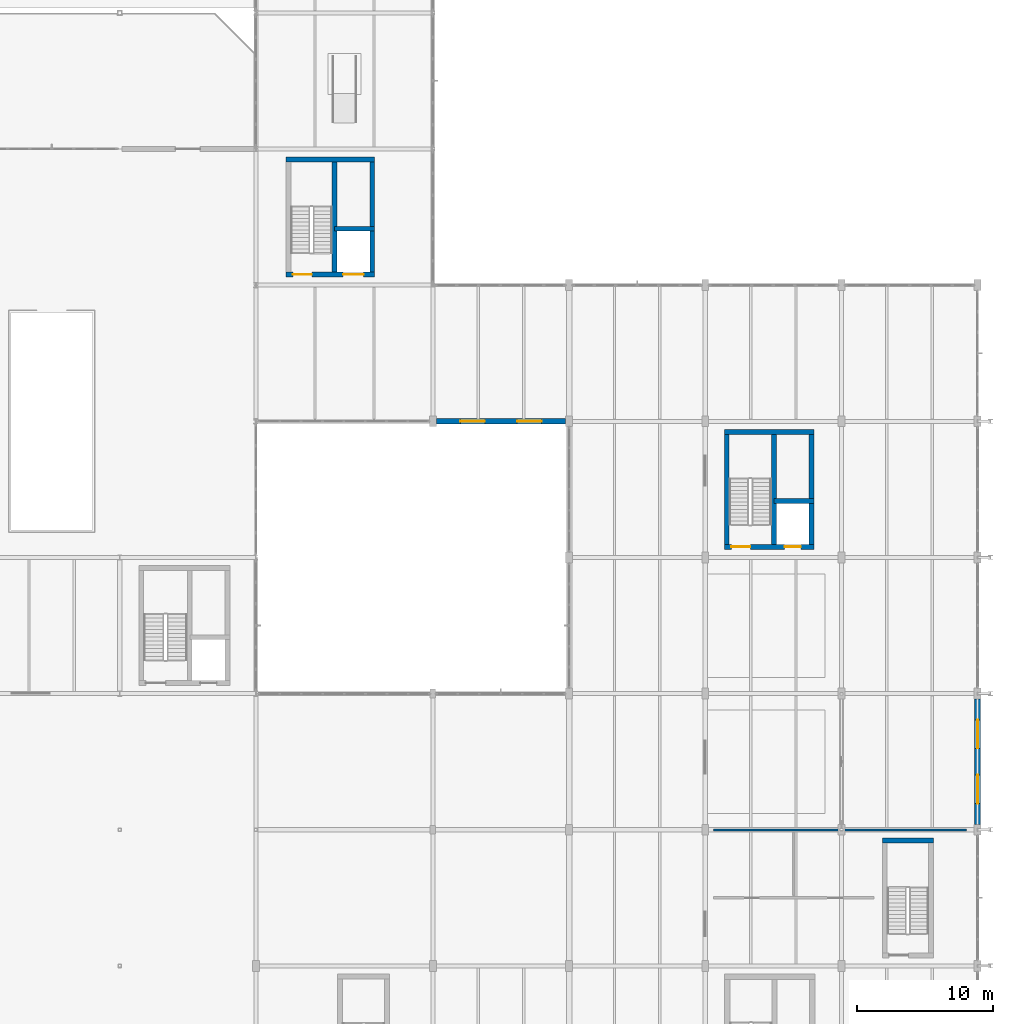
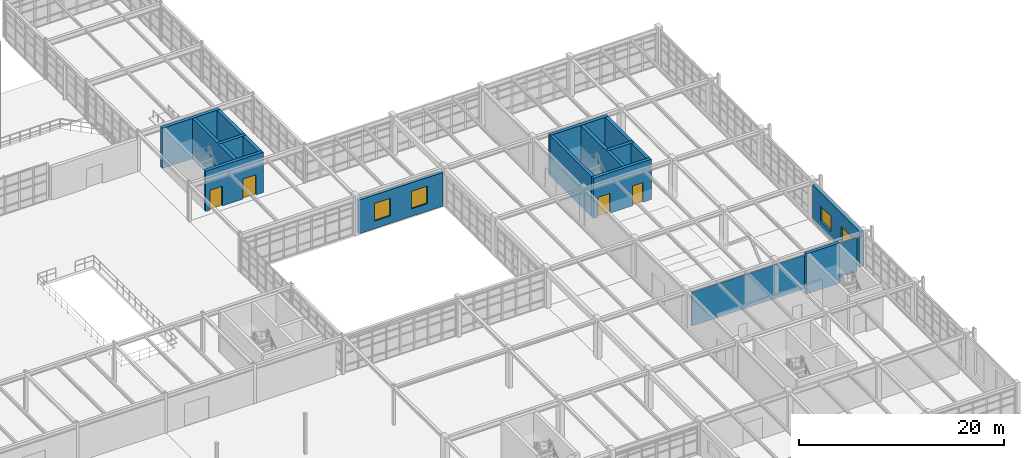
# One storey, part 122 of 139: 15 walls, 4 doors, 4 windows, 8 openings.
"""IFC4 building model written with IfcOpenShell, lengths in metres."""

from ifc_helpers import new_model, si_unit, direction, frame, frame_2d, origin, place, context, subcontext, project, spatial, rectangle, extrude, material, layer, layer_set, type_object, element, fill, save


model = new_model("IFC4")

# Units and contexts
model_context = context("Model", 3, precision=1e-05, world=origin(), true_north=direction((0.0, 1.0)))
body_context = subcontext(model_context, "Body", "Model", "MODEL_VIEW")
ifc_project = project(units=[si_unit("LENGTHUNIT", "METRE"), si_unit("AREAUNIT", "SQUARE_METRE"), si_unit("VOLUMEUNIT", "CUBIC_METRE"), si_unit("PLANEANGLEUNIT", "RADIAN"), si_unit("MASSUNIT", "GRAM", prefix="KILO"), si_unit("THERMODYNAMICTEMPERATUREUNIT", "KELVIN"), si_unit("POWERUNIT", "WATT")], contexts=[model_context])

# Site, building, storey
site_placement = place(None, origin())
site = spatial("IfcSite", under=ifc_project, at=site_placement, CompositionType="ELEMENT")
building_placement = place(site_placement, origin())
building = spatial("IfcBuilding", under=site, at=building_placement, Name="Korenveer Ferry Terminal", CompositionType="ELEMENT")
storey_placement = place(building_placement, frame((0.0, 0.0, 5.39990234375)))
storey = spatial("IfcBuildingStorey", under=building, at=storey_placement, Name="L01", CompositionType="ELEMENT", Elevation=5.39990234375)

# Wall, openings, windows
ifc_material_1 = material(Name="Insulated clinker brick masonry", Category="masonry")
ifc_layer_1 = layer(ifc_material_1, 0.3798828125)
ifc_layer_set_1 = layer_set([ifc_layer_1], Name="Insulated clinker brick masonry")
wall_type_1 = type_object("IfcWallType", Name="ENV-WL-BRK380", PredefinedType="SOLIDWALL", material=ifc_layer_set_1)
wall_1_placement = place(storey_placement, frame((136.25, 70.0, 0.0), z_axis=(0.0, 0.0, 1.0), x_axis=(1.0, 0.0, 0.0)))
wall_1 = element("IfcWall", 1, at=wall_1_placement, inside=storey, type_object=wall_type_1, Name="Exterior facade wall EWL-L01-045", PredefinedType="SOLIDWALL", context=body_context, shape_type="SweptSolid", body=[
    extrude(rectangle(XDim=9.5, YDim=0.3798828125, at=frame_2d((4.75, 0.0))), origin(), (0.0, 0.0, 1.0), 4.02001953125),
])
opening_1_placement = place(wall_1_placement, frame((1.760009765625, 0.0, 0.89990234375)))
opening_1 = element("IfcOpeningElement", 2, at=opening_1_placement, cuts=wall_1, Name="Opening WN-19", PredefinedType="OPENING", context=body_context, shape_type="SweptSolid", body=[
    extrude(rectangle(XDim=1.800048828125, YDim=2.10009765625, at=frame_2d((0.89990234375, 1.050048828125))), frame((0.0, 0.199951171875, 0.0), z_axis=(0.0, -1.0, 0.0), x_axis=(1.0, 0.0, 0.0)), (0.0, 0.0, 1.0), 0.39990234375),
])
opening_2_placement = place(wall_1_placement, frame((5.93994140625, 0.0, 0.89990234375)))
opening_2 = element("IfcOpeningElement", 3, at=opening_2_placement, cuts=wall_1, Name="Opening WN-19", PredefinedType="OPENING", context=body_context, shape_type="SweptSolid", body=[
    extrude(rectangle(XDim=1.800048828125, YDim=2.10009765625, at=frame_2d((0.89990234375, 1.050048828125))), frame((0.0, 0.199951171875, 0.0), z_axis=(0.0, -1.0, 0.0), x_axis=(1.0, 0.0, 0.0)), (0.0, 0.0, 1.0), 0.39990234375),
])
ifc_material_2 = material(Name="Low-iron triple glazing in bronze frame", Category="glass")
window_type_1 = type_object("IfcWindowType", Name="ENV-WN-19", PartitioningType="SINGLE_PANEL", PredefinedType="WINDOW", material=ifc_material_2)
window_1_placement = place(opening_1_placement, origin())
window_1 = element("IfcWindow", 4, at=window_1_placement, inside=storey, type_object=window_type_1, Name="Lancet facade window 45", OverallHeight=2.10009765625, OverallWidth=1.800048828125, PartitioningType="SINGLE_PANEL", PredefinedType="WINDOW", context=body_context, shape_type="SweptSolid", body=[
    extrude(rectangle(XDim=1.800048828125, YDim=2.10009765625, at=frame_2d((0.89990234375, 1.050048828125))), frame((0.0, 0.030029296875, 0.0), z_axis=(0.0, -1.0, 0.0), x_axis=(1.0, 0.0, 0.0)), (0.0, 0.0, 1.0), 0.06005859375),
])
fill(opening_1, window_1)
window_2_placement = place(opening_2_placement, origin())
window_2 = element("IfcWindow", 5, at=window_2_placement, inside=storey, type_object=window_type_1, Name="Lancet facade window 46", OverallHeight=2.10009765625, OverallWidth=1.800048828125, PartitioningType="SINGLE_PANEL", PredefinedType="WINDOW", context=body_context, shape_type="SweptSolid", body=[
    extrude(rectangle(XDim=1.800048828125, YDim=2.10009765625, at=frame_2d((0.89990234375, 1.050048828125))), frame((0.0, 0.030029296875, 0.0), z_axis=(0.0, -1.0, 0.0), x_axis=(1.0, 0.0, 0.0)), (0.0, 0.0, 1.0), 0.06005859375),
])
fill(opening_2, window_2)

ifc_layer_2 = layer(ifc_material_1, 0.43994140625)
ifc_layer_set_2 = layer_set([ifc_layer_2], Name="Insulated clinker brick masonry")
wall_type_2 = type_object("IfcWallType", Name="ENV-WL-BRK440", PredefinedType="SOLIDWALL", material=ifc_layer_set_2)
wall_2_placement = place(storey_placement, frame((176.0, 49.60009765625, 0.0), z_axis=(0.0, 0.0, 1.0), x_axis=(0.0, -1.0, 0.0)))
wall_2 = element("IfcWall", 6, at=wall_2_placement, inside=storey, type_object=wall_type_2, Name="Exterior facade wall EWL-L01-053", PredefinedType="SOLIDWALL", context=body_context, shape_type="SweptSolid", body=[
    extrude(rectangle(XDim=9.2001953125, YDim=0.43994140625, at=frame_2d((4.60009765625, 0.0))), origin(), (0.0, 0.0, 1.0), 4.27001953125),
])
opening_3_placement = place(wall_2_placement, frame((1.52587890625, 0.0, 0.89990234375)))
opening_3 = element("IfcOpeningElement", 7, at=opening_3_placement, cuts=wall_2, Name="Opening WN-24", PredefinedType="OPENING", context=body_context, shape_type="SweptSolid", body=[
    extrude(rectangle(XDim=2.10009765625, YDim=1.800048828125, at=frame_2d((1.050048828125, 0.89990234375))), frame((0.0, 0.22998046875, 0.0), z_axis=(0.0, -1.0, 0.0), x_axis=(1.0, 0.0, 0.0)), (0.0, 0.0, 1.0), 0.4599609375),
])
opening_4_placement = place(wall_2_placement, frame((5.573974609375, 0.0, 0.89990234375)))
opening_4 = element("IfcOpeningElement", 8, at=opening_4_placement, cuts=wall_2, Name="Opening WN-24", PredefinedType="OPENING", context=body_context, shape_type="SweptSolid", body=[
    extrude(rectangle(XDim=2.10009765625, YDim=1.800048828125, at=frame_2d((1.050048828125, 0.89990234375))), frame((0.0, 0.22998046875, 0.0), z_axis=(0.0, -1.0, 0.0), x_axis=(1.0, 0.0, 0.0)), (0.0, 0.0, 1.0), 0.4599609375),
])
window_type_2 = type_object("IfcWindowType", Name="ENV-WN-24", PartitioningType="SINGLE_PANEL", PredefinedType="WINDOW", material=ifc_material_2)
window_3_placement = place(opening_3_placement, origin())
window_3 = element("IfcWindow", 9, at=window_3_placement, inside=storey, type_object=window_type_2, Name="Lancet facade window 57", OverallHeight=1.800048828125, OverallWidth=2.10009765625, PartitioningType="SINGLE_PANEL", PredefinedType="WINDOW", context=body_context, shape_type="SweptSolid", body=[
    extrude(rectangle(XDim=2.10009765625, YDim=1.800048828125, at=frame_2d((1.050048828125, 0.89990234375))), frame((0.0, 0.030029296875, 0.0), z_axis=(0.0, -1.0, 0.0), x_axis=(1.0, 0.0, 0.0)), (0.0, 0.0, 1.0), 0.06005859375),
])
fill(opening_3, window_3)
window_4_placement = place(opening_4_placement, origin())
window_4 = element("IfcWindow", 10, at=window_4_placement, inside=storey, type_object=window_type_2, Name="Lancet facade window 58", OverallHeight=1.800048828125, OverallWidth=2.10009765625, PartitioningType="SINGLE_PANEL", PredefinedType="WINDOW", context=body_context, shape_type="SweptSolid", body=[
    extrude(rectangle(XDim=2.10009765625, YDim=1.800048828125, at=frame_2d((1.050048828125, 0.89990234375))), frame((0.0, 0.030029296875, 0.0), z_axis=(0.0, -1.0, 0.0), x_axis=(1.0, 0.0, 0.0)), (0.0, 0.0, 1.0), 0.06005859375),
])
fill(opening_4, window_4)

# Wall, openings, doors
ifc_material_3 = material(Name="Concrete C45/55", Category="concrete")
ifc_layer_3 = layer(ifc_material_3, 0.360107421875)
ifc_layer_set_3 = layer_set([ifc_layer_3], Name="Concrete C45/55")
wall_type_3 = type_object("IfcWallType", Name="INT-WL-CORE360", PredefinedType="SHEAR", material=ifc_layer_set_3)
wall_3_placement = place(storey_placement, frame((157.39990234375, 60.780029296875, 0.0), z_axis=(0.0, 0.0, 1.0), x_axis=(1.0, 0.0, 0.0)))
wall_3 = element("IfcWall", 11, at=wall_3_placement, inside=storey, type_object=wall_type_3, Name="East Schengen Core K4 south shear wall L01", PredefinedType="SHEAR", context=body_context, shape_type="SweptSolid", body=[
    extrude(rectangle(XDim=6.580078125, YDim=0.360107421875, at=frame_2d((3.2900390625, 0.0))), origin(), (0.0, 0.0, 1.0), 4.800048828125),
])
opening_5_placement = place(wall_3_placement, frame((0.510009765625, 0.0, 0.0)))
opening_5 = element("IfcOpeningElement", 12, at=opening_5_placement, cuts=wall_3, Name="Opening SD-15", PredefinedType="OPENING", context=body_context, shape_type="SweptSolid", body=[
    extrude(rectangle(XDim=1.39990234375, YDim=2.35009765625, at=frame_2d((0.699951171875, 1.175048828125))), frame((0.0, 0.18994140625, 0.0), z_axis=(0.0, -1.0, 0.0), x_axis=(1.0, 0.0, 0.0)), (0.0, 0.0, 1.0), 0.380126953125),
])
opening_6_placement = place(wall_3_placement, frame((4.419921875, 0.0, 0.0)))
opening_6 = element("IfcOpeningElement", 13, at=opening_6_placement, cuts=wall_3, Name="Opening LD-15", PredefinedType="OPENING", context=body_context, shape_type="SweptSolid", body=[
    extrude(rectangle(XDim=1.199951171875, YDim=2.35009765625, at=frame_2d((0.60009765625, 1.175048828125))), frame((0.0, 0.18994140625, 0.0), z_axis=(0.0, -1.0, 0.0), x_axis=(1.0, 0.0, 0.0)), (0.0, 0.0, 1.0), 0.380126953125),
])
ifc_material_4 = material(Name="Solid hardwood and steel acoustic door", Category="steel")
door_type_1 = type_object("IfcDoorType", Name="INT-DR-LD120", OperationType="SLIDING_TO_LEFT", PredefinedType="DOOR", material=ifc_material_4)
door_1_placement = place(opening_6_placement, origin())
door_1 = element("IfcDoor", 14, at=door_1_placement, inside=storey, type_object=door_type_1, Name="Lift LP2 Sliding Landing Door L01", OperationType="SLIDING_TO_LEFT", OverallHeight=2.35009765625, OverallWidth=1.199951171875, PredefinedType="DOOR", context=body_context, shape_type="SweptSolid", body=[
    extrude(rectangle(XDim=1.199951171875, YDim=2.35009765625, at=frame_2d((0.60009765625, 1.175048828125))), frame((0.0, 0.02490234375, 0.0), z_axis=(0.0, -1.0, 0.0), x_axis=(1.0, 0.0, 0.0)), (0.0, 0.0, 1.0), 0.050048828125),
])
fill(opening_6, door_1)
door_type_2 = type_object("IfcDoorType", Name="INT-DR-ST140", OperationType="NOTDEFINED", PredefinedType="DOOR", material=ifc_material_4)
door_2_placement = place(opening_5_placement, origin())
door_2 = element("IfcDoor", 15, at=door_2_placement, inside=storey, type_object=door_type_2, Name="ST04 Stair Door L01", OperationType="SINGLE_SWING_LEFT", OverallHeight=2.35009765625, OverallWidth=1.39990234375, PredefinedType="DOOR", context=body_context, shape_type="SweptSolid", body=[
    extrude(rectangle(XDim=1.39990234375, YDim=2.35009765625, at=frame_2d((0.699951171875, 1.175048828125))), frame((0.0, 0.02490234375, 0.0), z_axis=(0.0, -1.0, 0.0), x_axis=(1.0, 0.0, 0.0)), (0.0, 0.0, 1.0), 0.050048828125),
])
fill(opening_5, door_2)

# Walls
wall_4_placement = place(storey_placement, frame((157.39990234375, 69.219970703125, 0.0), z_axis=(0.0, 0.0, 1.0), x_axis=(1.0, 0.0, 0.0)))
element("IfcWall", 16, at=wall_4_placement, inside=storey, type_object=wall_type_3, Name="East Schengen Core K4 north shear wall L01", PredefinedType="SHEAR", context=body_context, shape_type="SweptSolid", body=[
    extrude(rectangle(XDim=6.580078125, YDim=0.360107421875, at=frame_2d((3.2900390625, 0.0))), origin(), (0.0, 0.0, 1.0), 4.800048828125),
])
for number, where, z_axis, x_axis, name in (
    (17, (157.580078125, 60.60009765625, 0.0), (0.0, 0.0, 1.0), (0.0, 1.0, 0.0), "East Schengen Core K4 west shear wall L01"),
    (18, (163.800048828125, 60.60009765625, 0.0), (0.0, 0.0, 1.0), (0.0, 1.0, 0.0), "East Schengen Core K4 east shear wall L01"),
    (19, (161.0400390625, 60.60009765625, 0.0), (0.0, 0.0, 1.0), (0.0, 1.0, 0.0), "East Schengen Core K4 shaft divider wall L01"),
):
    element("IfcWall", number, at=place(storey_placement, frame(where, z_axis=z_axis, x_axis=x_axis)), inside=storey, type_object=wall_type_3, Name=name, PredefinedType="SHEAR", context=body_context, shape_type="SweptSolid", body=[
        extrude(rectangle(XDim=8.7998046875, YDim=0.360107421875, at=frame_2d((4.39990234375, 0.0))), origin(), (0.0, 0.0, 1.0), 4.800048828125),
    ])
wall_5_placement = place(storey_placement, frame((161.0400390625, 64.139892578125, 0.0), z_axis=(0.0, 0.0, 1.0), x_axis=(1.0, 0.0, 0.0)))
element("IfcWall", 20, at=wall_5_placement, inside=storey, type_object=wall_type_3, Name="East Schengen Core K4 lift shaft wall L01", PredefinedType="SHEAR", context=body_context, shape_type="SweptSolid", body=[
    extrude(rectangle(XDim=2.93994140625, YDim=0.360107421875, at=frame_2d((1.469970703125, 0.0))), origin(), (0.0, 0.0, 1.0), 4.800048828125),
])

# Wall, openings, doors
wall_6_placement = place(storey_placement, frame((125.199951171875, 80.780029296875, 0.0), z_axis=(0.0, 0.0, 1.0), x_axis=(1.0, 0.0, 0.0)))
wall_6 = element("IfcWall", 21, at=wall_6_placement, inside=storey, type_object=wall_type_3, Name="East Berth Pier Core K8 south shear wall L01", PredefinedType="SHEAR", context=body_context, shape_type="SweptSolid", body=[
    extrude(rectangle(XDim=6.52001953125, YDim=0.360107421875, at=frame_2d((3.260009765625, 0.0))), origin(), (0.0, 0.0, 1.0), 4.800048828125),
])
opening_7_placement = place(wall_6_placement, frame((0.510009765625, 0.0, 0.0)))
opening_7 = element("IfcOpeningElement", 22, at=opening_7_placement, cuts=wall_6, Name="Opening SD-27", PredefinedType="OPENING", context=body_context, shape_type="SweptSolid", body=[
    extrude(rectangle(XDim=1.39990234375, YDim=2.35009765625, at=frame_2d((0.699951171875, 1.175048828125))), frame((0.0, 0.18994140625, 0.0), z_axis=(0.0, -1.0, 0.0), x_axis=(1.0, 0.0, 0.0)), (0.0, 0.0, 1.0), 0.380126953125),
])
opening_8_placement = place(wall_6_placement, frame((4.2099609375, 0.0, 0.0)))
opening_8 = element("IfcOpeningElement", 23, at=opening_8_placement, cuts=wall_6, Name="Opening LD-27", PredefinedType="OPENING", context=body_context, shape_type="SweptSolid", body=[
    extrude(rectangle(XDim=1.5, YDim=2.39990234375, at=frame_2d((0.75, 1.199951171875))), frame((0.0, 0.18994140625, 0.0), z_axis=(0.0, -1.0, 0.0), x_axis=(1.0, 0.0, 0.0)), (0.0, 0.0, 1.0), 0.380126953125),
])
door_type_3 = type_object("IfcDoorType", Name="INT-DR-LD150", OperationType="SLIDING_TO_LEFT", PredefinedType="DOOR", material=ifc_material_4)
door_3_placement = place(opening_8_placement, origin())
door_3 = element("IfcDoor", 24, at=door_3_placement, inside=storey, type_object=door_type_3, Name="Lift LG2 Sliding Landing Door L01", OperationType="SLIDING_TO_LEFT", OverallHeight=2.39990234375, OverallWidth=1.5, PredefinedType="DOOR", context=body_context, shape_type="SweptSolid", body=[
    extrude(rectangle(XDim=1.5, YDim=2.39990234375, at=frame_2d((0.75, 1.199951171875))), frame((0.0, 0.02490234375, 0.0), z_axis=(0.0, -1.0, 0.0), x_axis=(1.0, 0.0, 0.0)), (0.0, 0.0, 1.0), 0.050048828125),
])
fill(opening_8, door_3)
door_4_placement = place(opening_7_placement, origin())
door_4 = element("IfcDoor", 25, at=door_4_placement, inside=storey, type_object=door_type_2, Name="ST08 Stair Door L01", OperationType="SINGLE_SWING_LEFT", OverallHeight=2.35009765625, OverallWidth=1.39990234375, PredefinedType="DOOR", context=body_context, shape_type="SweptSolid", body=[
    extrude(rectangle(XDim=1.39990234375, YDim=2.35009765625, at=frame_2d((0.699951171875, 1.175048828125))), frame((0.0, 0.02490234375, 0.0), z_axis=(0.0, -1.0, 0.0), x_axis=(1.0, 0.0, 0.0)), (0.0, 0.0, 1.0), 0.050048828125),
])
fill(opening_7, door_4)

# Walls
wall_7_placement = place(storey_placement, frame((125.199951171875, 89.219970703125, 0.0), z_axis=(0.0, 0.0, 1.0), x_axis=(1.0, 0.0, 0.0)))
element("IfcWall", 26, at=wall_7_placement, inside=storey, type_object=wall_type_3, Name="East Berth Pier Core K8 north shear wall L01", PredefinedType="SHEAR", context=body_context, shape_type="SweptSolid", body=[
    extrude(rectangle(XDim=6.52001953125, YDim=0.360107421875, at=frame_2d((3.260009765625, 0.0))), origin(), (0.0, 0.0, 1.0), 4.800048828125),
])
for number, where, z_axis, x_axis, name in (
    (27, (131.5400390625, 80.60009765625, 0.0), (0.0, 0.0, 1.0), (0.0, 1.0, 0.0), "East Berth Pier Core K8 east shear wall L01"),
    (28, (128.780029296875, 80.60009765625, 0.0), (0.0, 0.0, 1.0), (0.0, 1.0, 0.0), "East Berth Pier Core K8 shaft divider wall L01"),
):
    element("IfcWall", number, at=place(storey_placement, frame(where, z_axis=z_axis, x_axis=x_axis)), inside=storey, type_object=wall_type_3, Name=name, PredefinedType="SHEAR", context=body_context, shape_type="SweptSolid", body=[
        extrude(rectangle(XDim=8.7998046875, YDim=0.360107421875, at=frame_2d((4.39990234375, 0.0))), origin(), (0.0, 0.0, 1.0), 4.800048828125),
    ])
wall_8_placement = place(storey_placement, frame((128.780029296875, 84.139892578125, 0.0), z_axis=(0.0, 0.0, 1.0), x_axis=(1.0, 0.0, 0.0)))
element("IfcWall", 29, at=wall_8_placement, inside=storey, type_object=wall_type_3, Name="East Berth Pier Core K8 lift shaft wall L01", PredefinedType="SHEAR", context=body_context, shape_type="SweptSolid", body=[
    extrude(rectangle(XDim=2.93994140625, YDim=0.360107421875, at=frame_2d((1.469970703125, 0.0))), origin(), (0.0, 0.0, 1.0), 4.800048828125),
])
wall_9_placement = place(storey_placement, frame((169.0, 39.219970703125, 0.0), z_axis=(0.0, 0.0, 1.0), x_axis=(1.0, 0.0, 0.0)))
element("IfcWall", 30, at=wall_9_placement, inside=storey, type_object=wall_type_3, Name="Schengen South Stair Core K12 north shear wall L01", PredefinedType="SHEAR", context=body_context, shape_type="SweptSolid", body=[
    extrude(rectangle(XDim=3.760009765625, YDim=0.360107421875, at=frame_2d((1.8798828125, 0.0))), origin(), (0.0, 0.0, 1.0), 4.800048828125),
])
ifc_material_5 = material(Name="Acoustic gypsum board stud partition", Category="other")
ifc_layer_4 = layer(ifc_material_5, 0.14990234375)
ifc_layer_set_4 = layer_set([ifc_layer_4], Name="Acoustic gypsum board stud partition")
wall_type_4 = type_object("IfcWallType", Name="INT-WL-PART150", PredefinedType="PARTITIONING", material=ifc_layer_set_4)
wall_10_placement = place(storey_placement, frame((156.60009765625, 40.0, 0.0), z_axis=(0.0, 0.0, 1.0), x_axis=(1.0, 0.0, 0.0)))
element("IfcWall", 31, at=wall_10_placement, inside=storey, type_object=wall_type_4, Name="Interior partition PWL-L01-034", PredefinedType="PARTITIONING", context=body_context, shape_type="SweptSolid", body=[
    extrude(rectangle(XDim=18.599853515625, YDim=0.14990234375, at=frame_2d((9.2998046875, 0.0))), origin(), (0.0, 0.0, 1.0), 4.02001953125),
])

save(model, "model.ifc")
